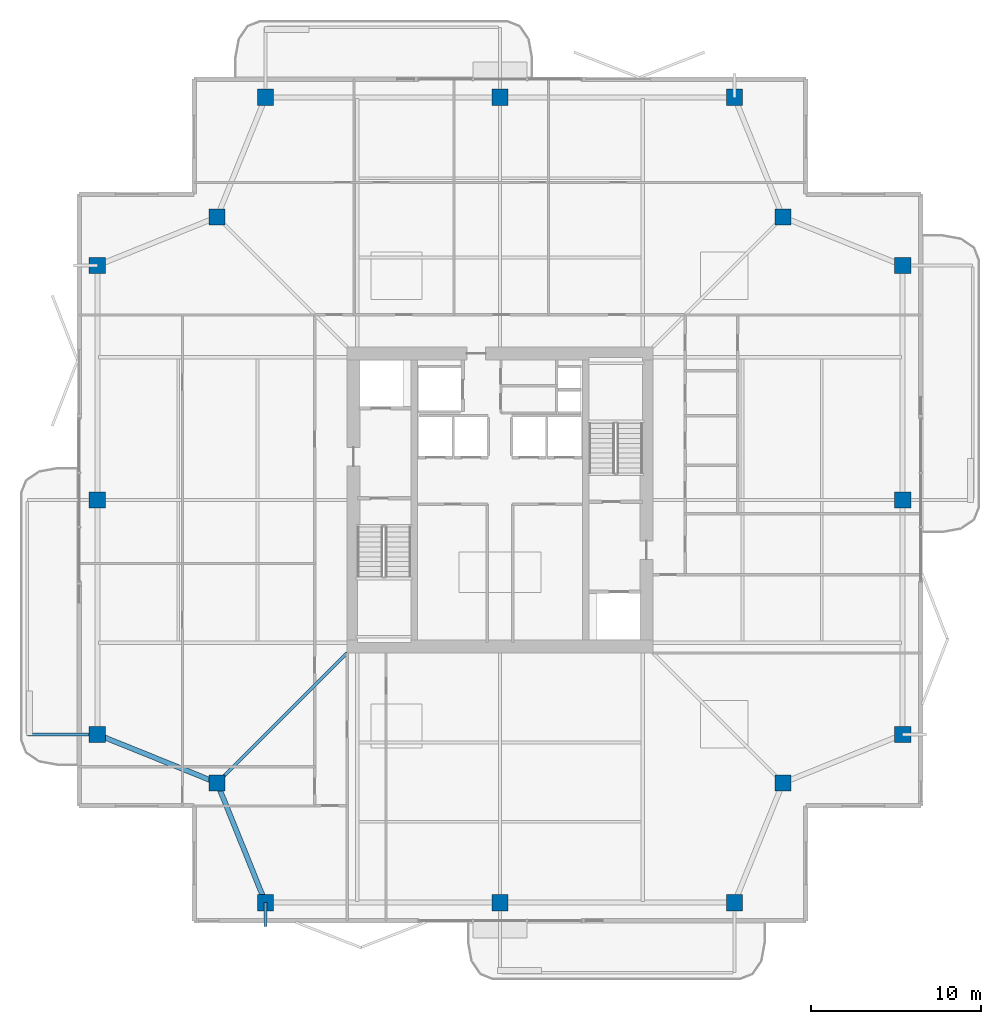
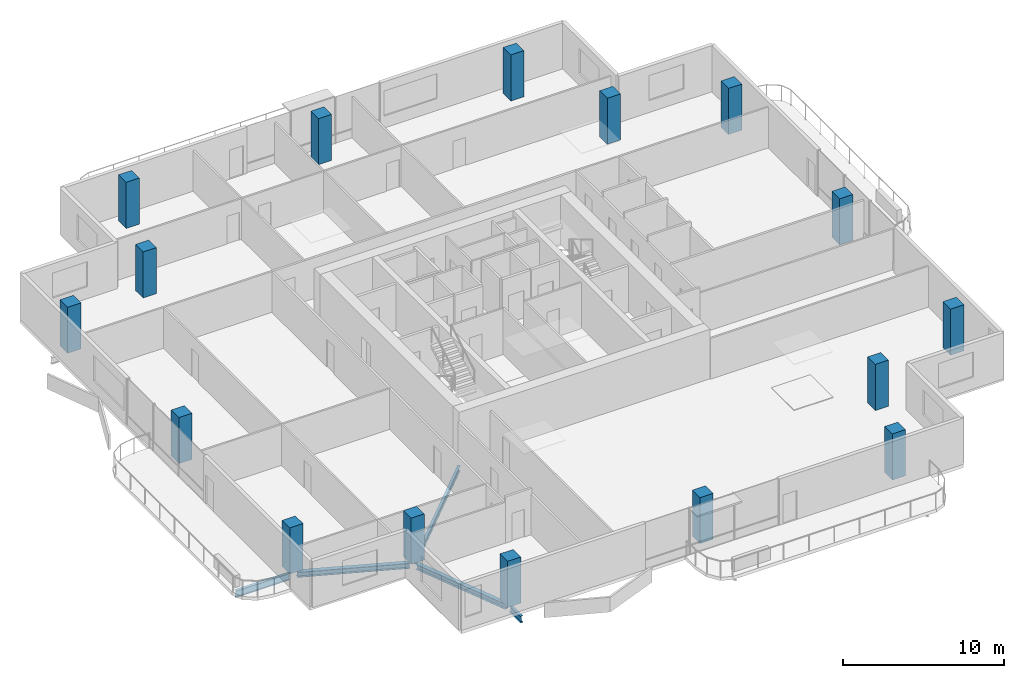
# One storey, part 1 of 25: 16 columns, 5 beams.
"""IFC4 building model written with IfcOpenShell, lengths in metres."""

from ifc_helpers import new_model, si_unit, direction, frame, origin, origin_2d, place, context, subcontext, project, spatial, rectangle, i_section, extrude, material, material_profile, profile_set, type_object, element, save


model = new_model("IFC4")

# Units and contexts
model_context = context("Model", 3, precision=1e-05, world=origin(), true_north=direction((0.0, 1.0)))
body_context = subcontext(model_context, "Body", "Model", "MODEL_VIEW")
ifc_project = project(units=[si_unit("LENGTHUNIT", "METRE"), si_unit("AREAUNIT", "SQUARE_METRE"), si_unit("VOLUMEUNIT", "CUBIC_METRE"), si_unit("PLANEANGLEUNIT", "RADIAN"), si_unit("MASSUNIT", "GRAM", prefix="KILO")], contexts=[model_context])

# Site, building, storey
site_placement = place(None, origin())
site = spatial("IfcSite", under=ifc_project, at=site_placement, CompositionType="ELEMENT")
building_placement = place(site_placement, origin())
building = spatial("IfcBuilding", under=site, at=building_placement, Name="Belovzor Exchange Tower", CompositionType="ELEMENT")
storey_placement = place(building_placement, frame((0.0, 0.0, 269.10009765625)))
storey = spatial("IfcBuildingStorey", under=building, at=storey_placement, Name="L67", CompositionType="ELEMENT", Elevation=269.10009765625)

# Columns
ifc_material_1 = material(Name="Concrete C50/60", Category="concrete")
ifc_material_profile_1 = material_profile(ifc_material_1, rectangle(XDim=0.949951171875, YDim=0.949951171875, at=origin_2d()))
ifc_profile_set_1 = profile_set([ifc_material_profile_1], Name="Concrete C50/60")
column_type = type_object("IfcColumnType", Name="Reinforced Concrete Tower Column 950x950", PredefinedType="COLUMN", material=ifc_profile_set_1)
for number, where, z_axis, x_axis, name in (
    (1, (15.0, 5.10009765625, 0.0029296875), (0.0, 0.0, 1.0), (1.0, 0.0, 0.0), "COL-T095 Reinforced Concrete Tower Column 950x950"),
    (2, (28.800048828125, 5.10009765625, 0.0029296875), (0.0, 0.0, 1.0), (1.0, 0.0, 0.0), "COL-T095 Reinforced Concrete Tower Column 950x950"),
    (3, (42.60009765625, 5.10009765625, 0.0029296875), (0.0, 0.0, 1.0), (1.0, 0.0, 0.0), "COL-T095 Reinforced Concrete Tower Column 950x950"),
    (4, (52.5, 15.0, 0.0029296875), (0.0, 0.0, 1.0), (1.0, 0.0, 0.0), "COL-T095 Reinforced Concrete Tower Column 950x950"),
    (5, (52.5, 28.800048828125, 0.0029296875), (0.0, 0.0, 1.0), (1.0, 0.0, 0.0), "COL-T095 Reinforced Concrete Tower Column 950x950"),
    (6, (52.5, 42.60009765625, 0.0029296875), (0.0, 0.0, 1.0), (1.0, 0.0, 0.0), "COL-T095 Reinforced Concrete Tower Column 950x950"),
    (7, (42.60009765625, 52.5, 0.0029296875), (0.0, 0.0, 1.0), (1.0, 0.0, 0.0), "COL-T095 Reinforced Concrete Tower Column 950x950"),
    (8, (28.800048828125, 52.5, 0.0029296875), (0.0, 0.0, 1.0), (1.0, 0.0, 0.0), "COL-T095 Reinforced Concrete Tower Column 950x950"),
    (9, (15.0, 52.5, 0.0029296875), (0.0, 0.0, 1.0), (1.0, 0.0, 0.0), "COL-T095 Reinforced Concrete Tower Column 950x950"),
    (10, (5.10009765625, 42.60009765625, 0.0029296875), (0.0, 0.0, 1.0), (1.0, 0.0, 0.0), "COL-T095 Reinforced Concrete Tower Column 950x950"),
    (11, (5.10009765625, 28.800048828125, 0.0029296875), (0.0, 0.0, 1.0), (1.0, 0.0, 0.0), "COL-T095 Reinforced Concrete Tower Column 950x950"),
    (12, (5.10009765625, 15.0, 0.0029296875), (0.0, 0.0, 1.0), (1.0, 0.0, 0.0), "COL-T095 Reinforced Concrete Tower Column 950x950"),
    (13, (12.14990234375, 12.14990234375, 0.0029296875), (0.0, 0.0, 1.0), (1.0, 0.0, 0.0), "COL-T095 Reinforced Concrete Tower Column 950x950"),
    (14, (45.449951171875, 12.14990234375, 0.0029296875), (0.0, 0.0, 1.0), (1.0, 0.0, 0.0), "COL-T095 Reinforced Concrete Tower Column 950x950"),
    (15, (45.449951171875, 45.449951171875, 0.0029296875), (0.0, 0.0, 1.0), (1.0, 0.0, 0.0), "COL-T095 Reinforced Concrete Tower Column 950x950"),
    (16, (12.14990234375, 45.449951171875, 0.0029296875), (0.0, 0.0, 1.0), (1.0, 0.0, 0.0), "COL-T095 Reinforced Concrete Tower Column 950x950"),
):
    element("IfcColumn", number, at=place(storey_placement, frame(where, z_axis=z_axis, x_axis=x_axis)), inside=storey, type_object=column_type, Name=name, PredefinedType="COLUMN", context=body_context, shape_type="SweptSolid", body=[
        extrude(rectangle(XDim=0.949951171875, YDim=0.949951171875, at=origin_2d()), origin(), (0.0, 0.0, 1.0), 3.493896484375),
    ])

# Beams
ifc_material_2 = material(Name="Steel S355", Category="steel")
ifc_material_profile_2 = material_profile(ifc_material_2, i_section(OverallWidth=0.199951171875, OverallDepth=0.5, WebThickness=0.01025390625, FlangeThickness=0.01611328125, at=origin_2d()))
ifc_profile_set_2 = profile_set([ifc_material_profile_2], Name="Steel S355")
beam_type_1 = type_object("IfcBeamType", Name="Planted Balcony Cantilever Beam IPE 500", PredefinedType="BEAM", material=ifc_profile_set_2)
beam_1_placement = place(storey_placement, frame((4.839111328125, 15.0, -0.5), z_axis=(-1.0, 0.0, 0.0), x_axis=(0.0, -1.0, 0.0)))
element("IfcBeam", 17, at=beam_1_placement, inside=storey, type_object=beam_type_1, Name="BC-500 Planted Balcony Cantilever Beam IPE 500", PredefinedType="BEAM", context=body_context, shape_type="SweptSolid", body=[
    extrude(i_section(OverallWidth=0.199951171875, OverallDepth=0.5, WebThickness=0.01025390625, FlangeThickness=0.01611328125, at=origin_2d()), origin(), (0.0, 0.0, 1.0), 3.85009765625),
])
beam_2_placement = place(storey_placement, frame((15.0, 5.10009765625, -0.5), z_axis=(0.0, -1.0, 0.0), x_axis=(1.0, 0.0, 0.0)))
element("IfcBeam", 18, at=beam_2_placement, inside=storey, type_object=beam_type_1, Name="BC-500 Planted Balcony Cantilever Beam IPE 500", PredefinedType="BEAM", context=body_context, shape_type="SweptSolid", body=[
    extrude(i_section(OverallWidth=0.199951171875, OverallDepth=0.5, WebThickness=0.01025390625, FlangeThickness=0.01611328125, at=origin_2d()), origin(), (0.0, 0.0, 1.0), 1.400146484375),
])
ifc_material_3 = material(Name="Steel S355", Category="steel")
ifc_material_profile_3 = material_profile(ifc_material_3, i_section(OverallWidth=0.300048828125, OverallDepth=0.39990234375, WebThickness=0.013427734375, FlangeThickness=0.02392578125, at=origin_2d()))
ifc_profile_set_3 = profile_set([ifc_material_profile_3], Name="Steel S355")
beam_type_2 = type_object("IfcBeamType", Name="Zone 5 Primary Girder HEB 400", PredefinedType="BEAM", material=ifc_profile_set_3)
for number, where, z_axis, x_axis, name in (
    (19, (12.248046875, 11.907958984375, -0.4501953125), (0.374758283536, -0.927122553345, 0.0), (0.927122553345, 0.374758283536, 0.0), "FG-Z5 Zone 5 Primary Girder HEB 400"),
    (20, (5.342041015625, 14.902099609375, -0.4501953125), (0.927122553345, -0.374758283536, 0.0), (0.374758283536, 0.927122553345, 0.0), "FG-Z5 Zone 5 Primary Girder HEB 400"),
):
    element("IfcBeam", number, at=place(storey_placement, frame(where, z_axis=z_axis, x_axis=x_axis)), inside=storey, type_object=beam_type_2, Name=name, PredefinedType="BEAM", context=body_context, shape_type="SweptSolid", body=[
        extrude(i_section(OverallWidth=0.300048828125, OverallDepth=0.39990234375, WebThickness=0.013427734375, FlangeThickness=0.02392578125, at=origin_2d()), origin(), (0.0, 0.0, 1.0), 7.08203125),
    ])
ifc_material_4 = material(Name="Steel S355", Category="steel")
ifc_material_profile_4 = material_profile(ifc_material_4, i_section(OverallWidth=0.179931640625, OverallDepth=0.39990234375, WebThickness=0.008544921875, FlangeThickness=0.013427734375, at=origin_2d()))
ifc_profile_set_4 = profile_set([ifc_material_profile_4], Name="Steel S355")
beam_type_3 = type_object("IfcBeamType", Name="Zone 5-6 Radial Composite Floor Beam IPE 400", PredefinedType="BEAM", material=ifc_profile_set_4)
beam_3_placement = place(storey_placement, frame((19.800048828125, 19.800048828125, -0.4501953125), z_axis=(-0.707106781187, -0.707106781187, 0.0), x_axis=(0.707106781187, -0.707106781187, 0.0)))
element("IfcBeam", 21, at=beam_3_placement, inside=storey, type_object=beam_type_3, Name="FB-400 Zone 5-6 Radial Composite Floor Beam IPE 400", PredefinedType="BEAM", context=body_context, shape_type="SweptSolid", body=[
    extrude(i_section(OverallWidth=0.179931640625, OverallDepth=0.39990234375, WebThickness=0.008544921875, FlangeThickness=0.013427734375, at=origin_2d()), origin(), (0.0, 0.0, 1.0), 10.482421875),
])

save(model, "model.ifc")
